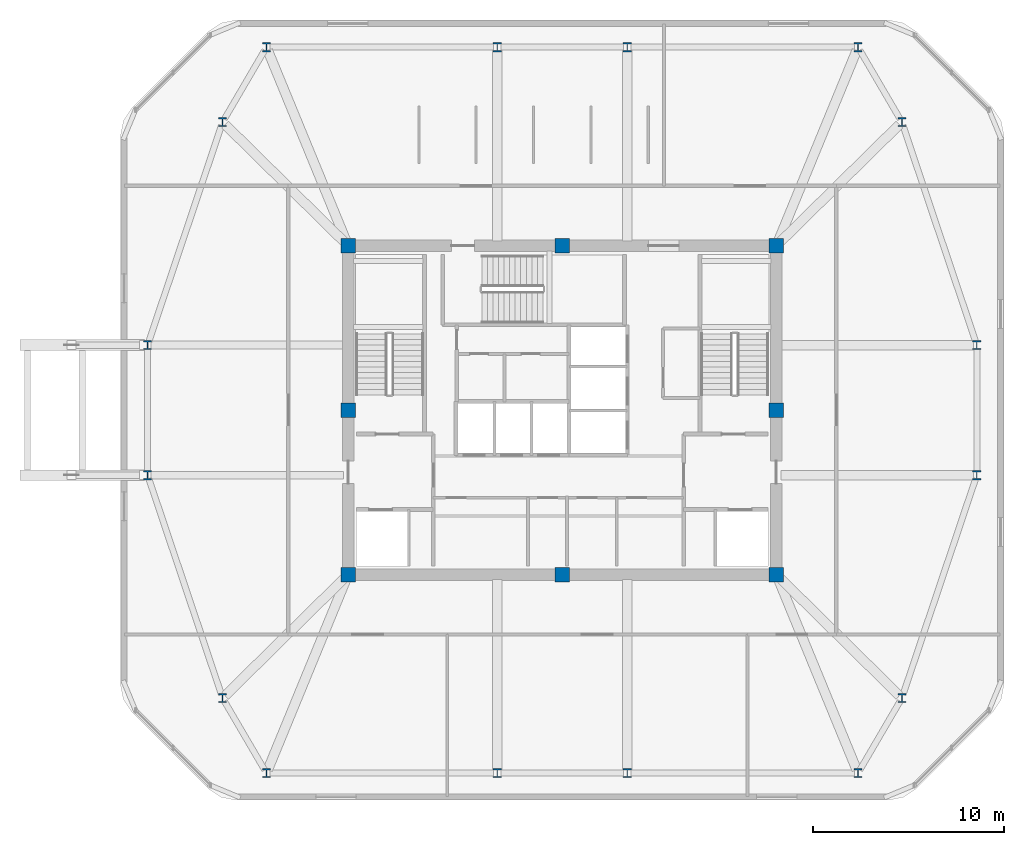
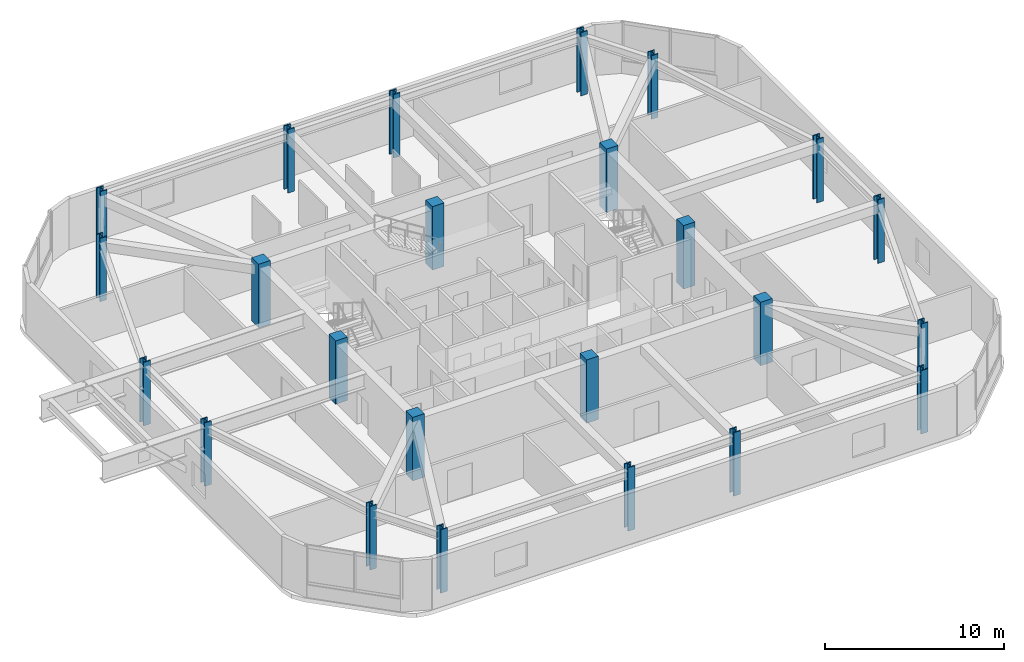
# One storey, part 1 of 9: 24 columns.
"""IFC4 building model written with IfcOpenShell, lengths in metres."""

from ifc_helpers import new_model, si_unit, derived_unit, direction, frame, origin, origin_2d, place, context, subcontext, project, spatial, rectangle, i_section, extrude, material, material_profile, profile_set, type_object, element, save


model = new_model("IFC4")

# Units and contexts
model_context = context("Model", 3, precision=1e-05, world=origin(), true_north=direction((0.0, 1.0)))
body_context = subcontext(model_context, "Body", "Model", "MODEL_VIEW")
ifc_project = project(units=[si_unit("LENGTHUNIT", "METRE"), si_unit("AREAUNIT", "SQUARE_METRE"), si_unit("VOLUMEUNIT", "CUBIC_METRE"), si_unit("PLANEANGLEUNIT", "RADIAN"), si_unit("MASSUNIT", "GRAM", prefix="KILO"), derived_unit("THERMALTRANSMITTANCEUNIT", [(si_unit("POWERUNIT", "WATT"), 1), (si_unit("LENGTHUNIT", "METRE"), -2), (si_unit("THERMODYNAMICTEMPERATUREUNIT", "KELVIN"), -1)])], contexts=[model_context])

# Site, building, storey
site_placement = place(None, origin())
site = spatial("IfcSite", under=ifc_project, at=site_placement, CompositionType="ELEMENT")
building_placement = place(site_placement, origin())
building = spatial("IfcBuilding", under=site, at=building_placement, Name="Koralith Skygarden Medical Center", CompositionType="ELEMENT")
storey_placement = place(building_placement, frame((0.0, 0.0, 286.02001953125)))
storey = spatial("IfcBuildingStorey", under=building, at=storey_placement, Name="L74", CompositionType="ELEMENT", Elevation=286.02001953125)

# Columns
ifc_material_1 = material(Name="Concrete C55/67", Category="concrete")
ifc_material_profile_1 = material_profile(ifc_material_1, rectangle(XDim=0.760009765625, YDim=0.760009765625, at=origin_2d()), Name="RC760X760")
ifc_profile_set_1 = profile_set([ifc_material_profile_1], Name="Concrete C55/67")
column_type_1 = type_object("IfcColumnType", Name="Core Crown Column C55 RC760", PredefinedType="COLUMN", material=ifc_profile_set_1)
for number, where, z_axis, x_axis, name in (
    (1, (25.800048828125, 17.300048828125, 0.0), (0.0, 0.0, 1.0), (1.0, 0.0, 0.0), "L74 Core Column CC-01"),
    (2, (37.0, 17.300048828125, 0.0), (0.0, 0.0, 1.0), (1.0, 0.0, 0.0), "L74 Core Column CC-02"),
    (3, (48.199951171875, 17.300048828125, 0.0), (0.0, 0.0, 1.0), (1.0, 0.0, 0.0), "L74 Core Column CC-03"),
    (4, (48.199951171875, 25.89990234375, 0.0), (0.0, 0.0, 1.0), (1.0, 0.0, 0.0), "L74 Core Column CC-04"),
    (5, (48.199951171875, 34.5, 0.0), (0.0, 0.0, 1.0), (1.0, 0.0, 0.0), "L74 Core Column CC-05"),
    (6, (37.0, 34.5, 0.0), (0.0, 0.0, 1.0), (1.0, 0.0, 0.0), "L74 Core Column CC-06"),
    (7, (25.800048828125, 34.5, 0.0), (0.0, 0.0, 1.0), (1.0, 0.0, 0.0), "L74 Core Column CC-07"),
    (8, (25.800048828125, 25.89990234375, 0.0), (0.0, 0.0, 1.0), (1.0, 0.0, 0.0), "L74 Core Column CC-08"),
):
    element("IfcColumn", number, at=place(storey_placement, frame(where, z_axis=z_axis, x_axis=x_axis)), inside=storey, type_object=column_type_1, Name=name, PredefinedType="COLUMN", context=body_context, shape_type="SweptSolid", body=[
        extrude(rectangle(XDim=0.760009765625, YDim=0.760009765625, at=origin_2d()), origin(), (0.0, 0.0, 1.0), 4.320068359375),
    ])
ifc_material_2 = material(Name="Steel ASTM A992 Grade 50", Category="steel")
ifc_material_profile_2 = material_profile(ifc_material_2, i_section(OverallWidth=0.427978515625, OverallDepth=0.48291015625, WebThickness=0.0419921875, FlangeThickness=0.068115234375, at=origin_2d()), Name="W14X455")
ifc_profile_set_2 = profile_set([ifc_material_profile_2], Name="Steel ASTM A992 Grade 50")
column_type_2 = type_object("IfcColumnType", Name="Crown Perimeter Column A992 W14X455", PredefinedType="COLUMN", material=ifc_profile_set_2)
for number, where, z_axis, x_axis, name in (
    (9, (15.320068359375, 22.5, 0.0), (0.0, 0.0, 1.0), (1.0, 0.0, 0.0), "L74 Perimeter Mega-Column MC-01"),
    (10, (19.239990234375, 10.840087890625, 0.0), (0.0, 0.0, 1.0), (1.0, 0.0, 0.0), "L74 Perimeter Mega-Column MC-02"),
    (11, (21.531982421875, 6.919921875, 0.0), (0.0, 0.0, 1.0), (1.0, 0.0, 0.0), "L74 Perimeter Mega-Column MC-03"),
    (12, (33.60009765625, 6.919921875, 0.0), (0.0, 0.0, 1.0), (1.0, 0.0, 0.0), "L74 Perimeter Mega-Column MC-04"),
    (13, (40.39990234375, 6.919921875, 0.0), (0.0, 0.0, 1.0), (1.0, 0.0, 0.0), "L74 Perimeter Mega-Column MC-05"),
    (14, (52.468017578125, 6.919921875, 0.0), (0.0, 0.0, 1.0), (1.0, 0.0, 0.0), "L74 Perimeter Mega-Column MC-06"),
    (15, (54.760009765625, 10.840087890625, 0.0), (0.0, 0.0, 1.0), (1.0, 0.0, 0.0), "L74 Perimeter Mega-Column MC-07"),
    (16, (58.679931640625, 22.5, 0.0), (0.0, 0.0, 1.0), (1.0, 0.0, 0.0), "L74 Perimeter Mega-Column MC-08"),
    (17, (58.679931640625, 29.300048828125, 0.0), (0.0, 0.0, 1.0), (1.0, 0.0, 0.0), "L74 Perimeter Mega-Column MC-09"),
    (18, (54.760009765625, 40.9599609375, 0.0), (0.0, 0.0, 1.0), (1.0, 0.0, 0.0), "L74 Perimeter Mega-Column MC-10"),
    (19, (52.468017578125, 44.8798828125, 0.0), (0.0, 0.0, 1.0), (1.0, 0.0, 0.0), "L74 Perimeter Mega-Column MC-11"),
    (20, (40.39990234375, 44.8798828125, 0.0), (0.0, 0.0, 1.0), (1.0, 0.0, 0.0), "L74 Perimeter Mega-Column MC-12"),
    (21, (33.60009765625, 44.8798828125, 0.0), (0.0, 0.0, 1.0), (1.0, 0.0, 0.0), "L74 Perimeter Mega-Column MC-13"),
    (22, (21.531982421875, 44.8798828125, 0.0), (0.0, 0.0, 1.0), (1.0, 0.0, 0.0), "L74 Perimeter Mega-Column MC-14"),
    (23, (19.239990234375, 40.9599609375, 0.0), (0.0, 0.0, 1.0), (1.0, 0.0, 0.0), "L74 Perimeter Mega-Column MC-15"),
    (24, (15.320068359375, 29.300048828125, 0.0), (0.0, 0.0, 1.0), (1.0, 0.0, 0.0), "L74 Perimeter Mega-Column MC-16"),
):
    element("IfcColumn", number, at=place(storey_placement, frame(where, z_axis=z_axis, x_axis=x_axis)), inside=storey, type_object=column_type_2, Name=name, PredefinedType="COLUMN", context=body_context, shape_type="SweptSolid", body=[
        extrude(i_section(OverallWidth=0.427978515625, OverallDepth=0.48291015625, WebThickness=0.0419921875, FlangeThickness=0.068115234375, at=origin_2d()), origin(), (0.0, 0.0, 1.0), 4.320068359375),
    ])

save(model, "model.ifc")
